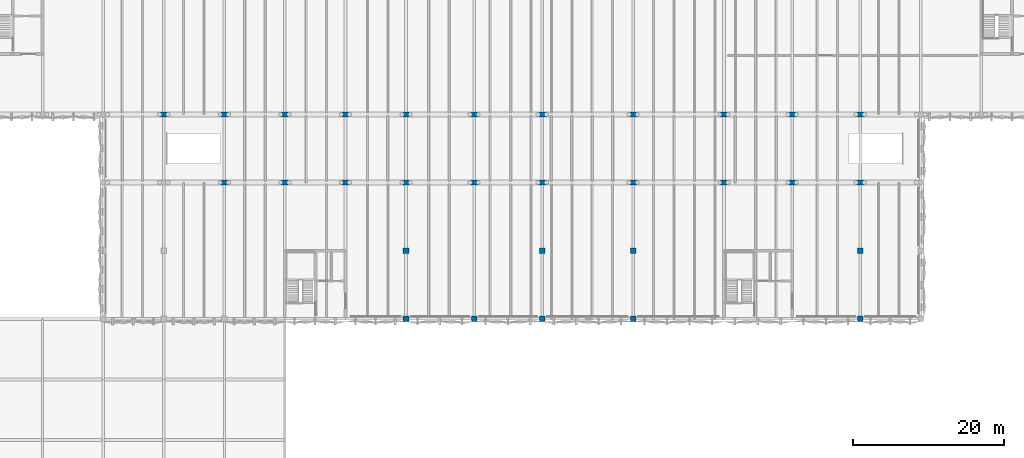
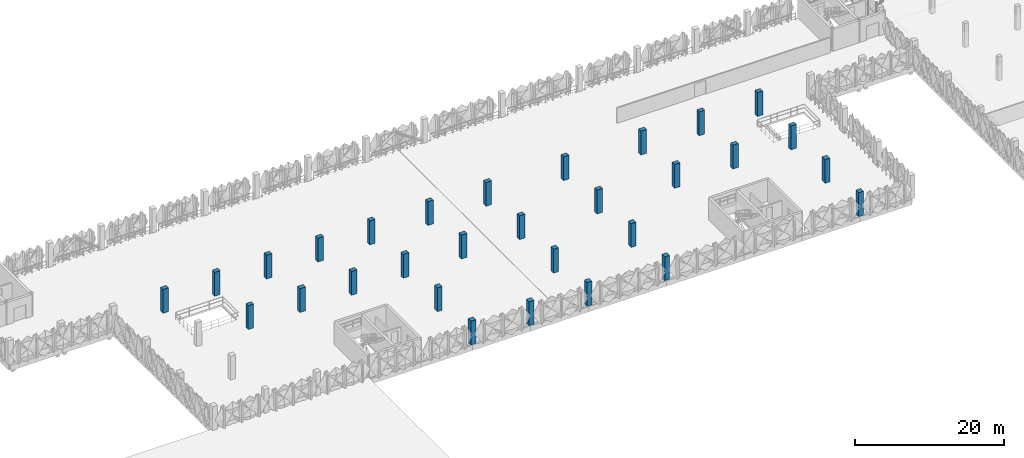
# One storey, part 3 of 76: 30 columns.
"""IFC4 building model written with IfcOpenShell, lengths in metres."""

from ifc_helpers import new_model, si_unit, derived_unit, direction, frame, origin, origin_2d, place, context, subcontext, project, spatial, rectangle, extrude, material, material_profile, profile_set, type_object, element, save


model = new_model("IFC4")

# Units and contexts
model_context = context("Model", 3, precision=1e-05, world=origin(), true_north=direction((0.0, 1.0)))
body_context = subcontext(model_context, "Body", "Model", "MODEL_VIEW")
ifc_project = project(units=[si_unit("LENGTHUNIT", "METRE"), si_unit("AREAUNIT", "SQUARE_METRE"), si_unit("VOLUMEUNIT", "CUBIC_METRE"), si_unit("PLANEANGLEUNIT", "RADIAN"), si_unit("MASSUNIT", "GRAM", prefix="KILO"), si_unit("THERMODYNAMICTEMPERATUREUNIT", "KELVIN"), derived_unit("THERMALTRANSMITTANCEUNIT", [(si_unit("POWERUNIT", "WATT"), 1), (si_unit("AREAUNIT", "SQUARE_METRE"), -1), (si_unit("THERMODYNAMICTEMPERATUREUNIT", "KELVIN"), -1)])], contexts=[model_context])

# Site, building, storey
site_placement = place(None, origin())
site = spatial("IfcSite", under=ifc_project, at=site_placement, CompositionType="ELEMENT")
building_placement = place(site_placement, origin())
building = spatial("IfcBuilding", under=site, at=building_placement, Name="Haiyu Intermodal Mobility Hub", CompositionType="ELEMENT")
storey_placement = place(building_placement, frame((0.0, 0.0, 17.300048828125)))
storey = spatial("IfcBuildingStorey", under=building, at=storey_placement, Name="L04", CompositionType="ELEMENT", Elevation=17.300048828125)

# Columns
ifc_material = material(Name="Precast concrete C40", Category="concrete")
ifc_material_profile_1 = material_profile(ifc_material, rectangle(XDim=0.75, YDim=0.75, at=origin_2d()), Name="RC750x750")
ifc_profile_set_1 = profile_set([ifc_material_profile_1], Name="Precast concrete C40")
column_type_1 = type_object("IfcColumnType", Name="COL-CC03", PredefinedType="COLUMN", material=ifc_profile_set_1)
for number, where, z_axis, x_axis, name in (
    (1, (78.0, 113.0, 0.0), (0.0, 0.0, 1.0), (1.0, 0.0, 0.0), "Column V3S-9N L04"),
    (2, (96.0, 113.0, 0.0), (0.0, 0.0, 1.0), (1.0, 0.0, 0.0), "Column V3S-11N L04"),
    (3, (108.0, 113.0, 0.0), (0.0, 0.0, 1.0), (1.0, 0.0, 0.0), "Column V3S-12N L04"),
    (4, (138.0, 113.0, 0.0), (0.0, 0.0, 1.0), (1.0, 0.0, 0.0), "Column V3S-15N L04"),
):
    element("IfcColumn", number, at=place(storey_placement, frame(where, z_axis=z_axis, x_axis=x_axis)), inside=storey, type_object=column_type_1, Name=name, PredefinedType="COLUMN", context=body_context, shape_type="SweptSolid", body=[
        extrude(rectangle(XDim=0.75, YDim=0.75, at=origin_2d()), origin(), (0.0, 0.0, 1.0), 3.89990234375),
    ])
ifc_material_profile_2 = material_profile(ifc_material, rectangle(XDim=0.75, YDim=0.75, at=origin_2d()), Name="RC750x750")
ifc_profile_set_2 = profile_set([ifc_material_profile_2], Name="Precast concrete C40")
column_type_2 = type_object("IfcColumnType", Name="COL-CC03-EXT", PredefinedType="COLUMN", material=ifc_profile_set_2)
for number, where, z_axis, x_axis, name in (
    (5, (78.0, 104.0, 0.0), (0.0, 0.0, 1.0), (1.0, 0.0, 0.0), "Column V4-9M L04"),
    (6, (87.0, 104.0, 0.0), (0.0, 0.0, 1.0), (1.0, 0.0, 0.0), "Column V4-10M L04"),
    (7, (96.0, 104.0, 0.0), (0.0, 0.0, 1.0), (1.0, 0.0, 0.0), "Column V4-11M L04"),
    (8, (108.0, 104.0, 0.0), (0.0, 0.0, 1.0), (1.0, 0.0, 0.0), "Column V4-12M L04"),
    (9, (138.0, 104.0, 0.0), (0.0, 0.0, 1.0), (1.0, 0.0, 0.0), "Column V4-15M L04"),
):
    element("IfcColumn", number, at=place(storey_placement, frame(where, z_axis=z_axis, x_axis=x_axis)), inside=storey, type_object=column_type_2, Name=name, PredefinedType="COLUMN", context=body_context, shape_type="SweptSolid", body=[
        extrude(rectangle(XDim=0.75, YDim=0.75, at=origin_2d()), origin(), (0.0, 0.0, 1.0), 3.89990234375),
    ])
ifc_material_profile_3 = material_profile(ifc_material, rectangle(XDim=0.85009765625, YDim=0.64990234375, at=origin_2d()), Name="RC850x650")
ifc_profile_set_3 = profile_set([ifc_material_profile_3], Name="Precast concrete C40")
column_type_3 = type_object("IfcColumnType", Name="COL-CC05", PredefinedType="COLUMN", material=ifc_profile_set_3)
for number, where, z_axis, x_axis, name in (
    (10, (46.0, 131.0, 0.0), (0.0, 0.0, 1.0), (1.0, 0.0, 0.0), "Column V4-5Q L04"),
    (11, (54.0, 122.0, 0.0), (0.0, 0.0, 1.0), (1.0, 0.0, 0.0), "Column V4-6P L04"),
    (12, (54.0, 131.0, 0.0), (0.0, 0.0, 1.0), (1.0, 0.0, 0.0), "Column V4-6Q L04"),
    (13, (62.0, 122.0, 0.0), (0.0, 0.0, 1.0), (1.0, 0.0, 0.0), "Column V4-7P L04"),
    (14, (62.0, 131.0, 0.0), (0.0, 0.0, 1.0), (1.0, 0.0, 0.0), "Column V4-7Q L04"),
    (15, (70.0, 122.0, 0.0), (0.0, 0.0, 1.0), (1.0, 0.0, 0.0), "Column V4-8P L04"),
    (16, (70.0, 131.0, 0.0), (0.0, 0.0, 1.0), (1.0, 0.0, 0.0), "Column V4-8Q L04"),
    (17, (78.0, 122.0, 0.0), (0.0, 0.0, 1.0), (1.0, 0.0, 0.0), "Column V4-9P L04"),
    (18, (78.0, 131.0, 0.0), (0.0, 0.0, 1.0), (1.0, 0.0, 0.0), "Column V4-9Q L04"),
    (19, (87.0, 122.0, 0.0), (0.0, 0.0, 1.0), (1.0, 0.0, 0.0), "Column V4-10P L04"),
    (20, (87.0, 131.0, 0.0), (0.0, 0.0, 1.0), (1.0, 0.0, 0.0), "Column V4-10Q L04"),
    (21, (96.0, 122.0, 0.0), (0.0, 0.0, 1.0), (1.0, 0.0, 0.0), "Column V4-11P L04"),
    (22, (96.0, 131.0, 0.0), (0.0, 0.0, 1.0), (1.0, 0.0, 0.0), "Column V4-11Q L04"),
    (23, (108.0, 122.0, 0.0), (0.0, 0.0, 1.0), (1.0, 0.0, 0.0), "Column V4-12P L04"),
    (24, (108.0, 131.0, 0.0), (0.0, 0.0, 1.0), (1.0, 0.0, 0.0), "Column V4-12Q L04"),
    (25, (120.0, 122.0, 0.0), (0.0, 0.0, 1.0), (1.0, 0.0, 0.0), "Column V4-13P L04"),
    (26, (120.0, 131.0, 0.0), (0.0, 0.0, 1.0), (1.0, 0.0, 0.0), "Column V4-13Q L04"),
    (27, (129.0, 122.0, 0.0), (0.0, 0.0, 1.0), (1.0, 0.0, 0.0), "Column V4-14P L04"),
    (28, (129.0, 131.0, 0.0), (0.0, 0.0, 1.0), (1.0, 0.0, 0.0), "Column V4-14Q L04"),
    (29, (138.0, 122.0, 0.0), (0.0, 0.0, 1.0), (1.0, 0.0, 0.0), "Column V4-15P L04"),
    (30, (138.0, 131.0, 0.0), (0.0, 0.0, 1.0), (1.0, 0.0, 0.0), "Column V4-15Q L04"),
):
    element("IfcColumn", number, at=place(storey_placement, frame(where, z_axis=z_axis, x_axis=x_axis)), inside=storey, type_object=column_type_3, Name=name, PredefinedType="COLUMN", context=body_context, shape_type="SweptSolid", body=[
        extrude(rectangle(XDim=0.85009765625, YDim=0.64990234375, at=origin_2d()), origin(), (0.0, 0.0, 1.0), 3.89990234375),
    ])

save(model, "model.ifc")
